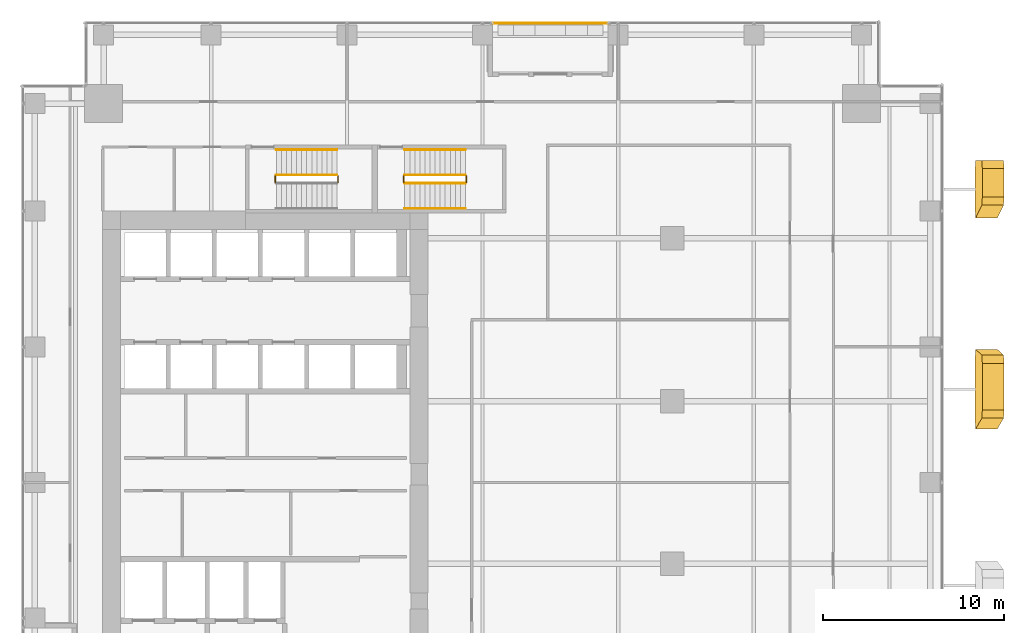
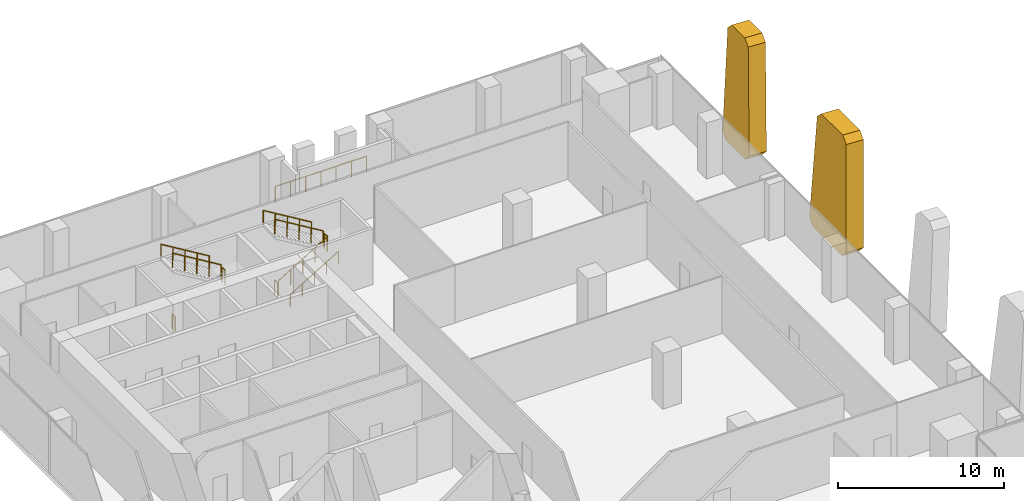
# One storey, part 34 of 35: 11 railings, 2 coverings.
"""IFC4 building model written with IfcOpenShell, lengths in metres."""

from ifc_helpers import new_model, si_unit, direction, frame, origin, origin_2d, place, context, subcontext, project, spatial, polyline, circle, outline, extrude, source, transform, mapped, material, layer, layer_set, type_object, element, save


model = new_model("IFC4")

# Units and contexts
model_context = context("Model", 3, precision=1e-05, world=origin(), true_north=direction((0.0, 1.0)))
body_context = subcontext(model_context, "Body", "Model", "MODEL_VIEW")
ifc_project = project(units=[si_unit("LENGTHUNIT", "METRE"), si_unit("AREAUNIT", "SQUARE_METRE"), si_unit("VOLUMEUNIT", "CUBIC_METRE"), si_unit("PLANEANGLEUNIT", "RADIAN"), si_unit("MASSUNIT", "GRAM", prefix="KILO")], contexts=[model_context])

# Site, building, storey
site_placement = place(None, origin())
site = spatial("IfcSite", under=ifc_project, at=site_placement, CompositionType="ELEMENT")
building_placement = place(site_placement, origin())
building = spatial("IfcBuilding", under=site, at=building_placement, Name="Khomas Fold Tower", CompositionType="ELEMENT")
storey_placement = place(building_placement, frame((0.0, 0.0, 119.10009765625)))
storey = spatial("IfcBuildingStorey", under=building, at=storey_placement, Name="L25", CompositionType="ELEMENT", Elevation=119.10009765625)

# Coverings
ifc_material_1 = material(Name="Natural stone cladding", Category="masonry")
ifc_layer = layer(ifc_material_1, 1.199951171875)
ifc_layer_set = layer_set([ifc_layer], Name="Natural stone cladding")
covering_type = type_object("IfcCoveringType", Name="SK-Karibib marble stone panel", PredefinedType="CLADDING", material=ifc_layer_set)
covering_1_placement = place(storey_placement, frame((54.611328125, 34.041259765625, 7.91943359375), z_axis=(-0.998874676029, 1.3489365e-05, 0.04742764391), x_axis=(-0.047382377875, 0.043397010468, -0.997933670015)))
element("IfcCovering", 1, at=covering_1_placement, inside=storey, type_object=covering_type, Name="OUTER SKIN leaf L25 ES09-3", PredefinedType="CLADDING", context=body_context, shape_type="SweptSolid", body=[
    extrude(outline(polyline([(0.0, 0.0), (7.465367054823694, 5.551115123125783e-17), (7.915438277951393, 0.4694368921433672), (7.763209702168287, 3.9739447026115204), (7.257568205310898, 4.400889922373656), (-0.16762271091524977, 3.475980845446091), (-0.5620600241605909, 3.0099380593128413), (-0.45001818194828874, 0.4305832363938047), (0.0, 0.0)])), origin(), (0.0, 0.0, -1.0), 1.199951171875),
])
covering_2_placement = place(storey_placement, frame((54.6103515625, 44.800048828125, 7.89990234375), z_axis=(-0.998874627077, -3.967957e-06, 0.047428676613), x_axis=(-0.047428676614, -1.19e-10, -0.998874627085)))
element("IfcCovering", 2, at=covering_2_placement, inside=storey, type_object=covering_type, Name="OUTER SKIN leaf L25 ES12-4", PredefinedType="CLADDING", context=body_context, shape_type="SweptSolid", body=[
    extrude(outline(polyline([(0.0, 0.0), (7.4583339768658865, 2.117582368135751e-22), (7.908797761406727, 0.44995117134328527), (7.908797761678751, 2.7373046869502784), (7.414833217226585, 3.1850585932929003), (-0.04351233899222821, 2.460449219266255), (-0.4504637842479976, 2.01245117238733), (-0.45046378443381835, 0.44995117239963056), (0.0, 0.0)])), origin(), (0.0, 0.0, -1.0), 1.199951171875),
])

# Railings
ifc_material_2 = material(Name="Powder-coated steel", Category="steel")
railing_type_1 = type_object("IfcRailingType", Name="Balcony guard", PredefinedType="GUARDRAIL", material=ifc_material_2)
shared_shape_1 = source(origin(), body_context, "Body", "SweptSolid", [
    extrude(circle(Radius=0.02490234375, at=origin_2d()), frame((0.0, 0.0, 1.125), z_axis=(1.0, 0.0, 0.0), x_axis=(0.0, 1.0, 0.0)), (0.0, 0.0, 1.0), 6.33984375),
    extrude(circle(Radius=0.02001953125, at=origin_2d()), origin(), (0.0, 0.0, 1.0), 1.099853515625),
    extrude(circle(Radius=0.02001953125, at=origin_2d()), frame((1.056640625, 0.0, 0.0)), (0.0, 0.0, 1.0), 1.099853515625),
    extrude(circle(Radius=0.02001953125, at=origin_2d()), frame((2.11328125, 0.0, 0.0)), (0.0, 0.0, 1.0), 1.099853515625),
    extrude(circle(Radius=0.02001953125, at=origin_2d()), frame((3.169921875, 0.0, 0.0)), (0.0, 0.0, 1.0), 1.099853515625),
    extrude(circle(Radius=0.02001953125, at=origin_2d()), frame((4.2265625, 0.0, 0.0)), (0.0, 0.0, 1.0), 1.099853515625),
    extrude(circle(Radius=0.02001953125, at=origin_2d()), frame((5.283203125, 0.0, 0.0)), (0.0, 0.0, 1.0), 1.099853515625),
    extrude(circle(Radius=0.02001953125, at=origin_2d()), frame((6.33984375, 0.0, 0.0)), (0.0, 0.0, 1.0), 1.099853515625),
])
railing_1_placement = place(storey_placement, frame((27.580078125, 52.39990234375, -0.045166015625)))
element("IfcRailing", 3, at=railing_1_placement, inside=storey, type_object=railing_type_1, Name="Balcony guard BAL-L25-N3", PredefinedType="GUARDRAIL", context=body_context, shape_type="MappedRepresentation", body=[
    mapped(shared_shape_1, transform((0.0, 0.0, 0.0))),
])
ifc_material_3 = material(Name="Steel balustrade", Category="steel")
railing_type_2 = type_object("IfcRailingType", Name="Stair guard", PredefinedType="GUARDRAIL", material=ifc_material_3)
shared_shape_2 = source(origin(), body_context, "Body", "SweptSolid", [
    extrude(circle(Radius=0.02392578125, at=origin_2d()), frame((0.0, 0.0, 1.076171875), z_axis=(0.0, 1.0, 0.0), x_axis=(-1.0, 0.0, 0.0)), (0.0, 0.0, 1.0), 0.349853515625),
    extrude(circle(Radius=0.02099609375, at=origin_2d()), origin(), (0.0, 0.0, 1.0), 1.052001953125),
    extrude(circle(Radius=0.02099609375, at=origin_2d()), frame((0.0, 0.349853515625, 0.0)), (0.0, 0.0, 1.0), 1.052001953125),
])
for number, where, name in (
    (4, (19.010009765625, 43.60009765625, 2.199951171875), "L25 ST1 stair guard 2"),
    (5, (15.550048828125, 43.60009765625, 0.0), "L25 ST1 stair guard 4"),
    (6, (26.110107421875, 43.60009765625, 2.199951171875), "L25 ST3 stair guard 2"),
    (7, (22.64990234375, 43.60009765625, 0.0), "L25 ST3 stair guard 4"),
):
    element("IfcRailing", number, at=place(storey_placement, frame(where)), inside=storey, type_object=railing_type_2, Name=name, PredefinedType="GUARDRAIL", context=body_context, shape_type="MappedRepresentation", body=[
        mapped(shared_shape_2, transform((0.0, 0.0, 0.0))),
    ])
shared_shape_3 = source(origin(), body_context, "Body", "SweptSolid", [
    extrude(circle(Radius=0.02392578125, at=origin_2d()), frame((0.0, 0.0, 1.076171875), z_axis=(-0.855820338506, 0.0, 0.51727318527), x_axis=(0.0, -1.0, 0.0)), (0.0, 0.0, 1.0), 3.92578125),
    extrude(circle(Radius=0.02099609375, at=origin_2d()), origin(), (0.0, 0.0, 1.0), 1.052001953125),
    extrude(circle(Radius=0.02099609375, at=origin_2d()), frame((-0.83984375, 0.0, 0.5078125)), (0.0, 0.0, 1.0), 1.052001953125),
    extrude(circle(Radius=0.02099609375, at=origin_2d()), frame((-1.679931640625, 0.0, 1.015380859375)), (0.0, 0.0, 1.0), 1.052001953125),
    extrude(circle(Radius=0.02099609375, at=origin_2d()), frame((-2.52001953125, 0.0, 1.52294921875)), (0.0, 0.0, 1.0), 1.052001953125),
    extrude(circle(Radius=0.02099609375, at=origin_2d()), frame((-3.35986328125, 0.0, 2.03076171875)), (0.0, 0.0, 1.0), 1.052001953125),
])
railing_2_placement = place(storey_placement, frame((18.9599609375, 44.0, 2.369140625)))
element("IfcRailing", 8, at=railing_2_placement, inside=storey, type_object=railing_type_2, Name="L25 ST1 stair guard 3", PredefinedType="GUARDRAIL", context=body_context, shape_type="MappedRepresentation", body=[
    mapped(shared_shape_3, transform((0.0, 0.0, 0.0))),
])
ifc_material_4 = material(Name="Steel handrail", Category="steel")
railing_type_3 = type_object("IfcRailingType", Name="Stair handrail", PredefinedType="HANDRAIL", material=ifc_material_4)
shared_shape_4 = source(origin(), body_context, "Body", "SweptSolid", [
    extrude(circle(Radius=0.02392578125, at=origin_2d()), frame((0.0, 0.0, 0.8759765625), z_axis=(-0.855820338506, 0.0, 0.51727318527), x_axis=(0.0, -1.0, 0.0)), (0.0, 0.0, 1.0), 3.92578125),
    extrude(circle(Radius=0.02099609375, at=origin_2d()), origin(), (0.0, 0.0, 1.0), 0.851806640625),
    extrude(circle(Radius=0.02099609375, at=origin_2d()), frame((-0.83984375, 0.0, 0.5078125)), (0.0, 0.0, 1.0), 0.851806640625),
    extrude(circle(Radius=0.02099609375, at=origin_2d()), frame((-1.679931640625, 0.0, 1.015380859375)), (0.0, 0.0, 1.0), 0.851806640625),
    extrude(circle(Radius=0.02099609375, at=origin_2d()), frame((-2.52001953125, 0.0, 1.52294921875)), (0.0, 0.0, 1.0), 0.851806640625),
    extrude(circle(Radius=0.02099609375, at=origin_2d()), frame((-3.35986328125, 0.0, 2.03076171875)), (0.0, 0.0, 1.0), 0.851806640625),
])
railing_3_placement = place(storey_placement, frame((18.9599609375, 45.39990234375, 2.369140625)))
element("IfcRailing", 9, at=railing_3_placement, inside=storey, type_object=railing_type_3, Name="L25 ST1 stair handrail 2", PredefinedType="HANDRAIL", context=body_context, shape_type="MappedRepresentation", body=[
    mapped(shared_shape_4, transform((0.0, 0.0, 0.0))),
])
shared_shape_5 = source(origin(), body_context, "Body", "SweptSolid", [
    extrude(circle(Radius=0.02392578125, at=origin_2d()), frame((0.0, 0.0, 1.076171875), z_axis=(0.855836976705, 0.0, 0.517245656632), x_axis=(0.0, 1.0, 0.0)), (0.0, 0.0, 1.0), 3.926025390625),
    extrude(circle(Radius=0.02099609375, at=origin_2d()), origin(), (0.0, 0.0, 1.0), 1.052001953125),
    extrude(circle(Radius=0.02099609375, at=origin_2d()), frame((0.840087890625, 0.0, 0.5078125)), (0.0, 0.0, 1.0), 1.052001953125),
    extrude(circle(Radius=0.02099609375, at=origin_2d()), frame((1.68017578125, 0.0, 1.015380859375)), (0.0, 0.0, 1.0), 1.052001953125),
    extrude(circle(Radius=0.02099609375, at=origin_2d()), frame((2.52001953125, 0.0, 1.52294921875)), (0.0, 0.0, 1.0), 1.052001953125),
    extrude(circle(Radius=0.02099609375, at=origin_2d()), frame((3.360107421875, 0.0, 2.03076171875)), (0.0, 0.0, 1.0), 1.052001953125),
])
railing_4_placement = place(storey_placement, frame((22.699951171875, 43.550048828125, 0.169189453125)))
element("IfcRailing", 10, at=railing_4_placement, inside=storey, type_object=railing_type_2, Name="L25 ST3 stair guard 1", PredefinedType="GUARDRAIL", context=body_context, shape_type="MappedRepresentation", body=[
    mapped(shared_shape_5, transform((0.0, 0.0, 0.0))),
])
shared_shape_6 = source(origin(), body_context, "Body", "SweptSolid", [
    extrude(circle(Radius=0.02392578125, at=origin_2d()), frame((0.0, 0.0, 1.076171875), z_axis=(-0.855836976705, 0.0, 0.517245656632), x_axis=(0.0, -1.0, 0.0)), (0.0, 0.0, 1.0), 3.926025390625),
    extrude(circle(Radius=0.02099609375, at=origin_2d()), origin(), (0.0, 0.0, 1.0), 1.052001953125),
    extrude(circle(Radius=0.02099609375, at=origin_2d()), frame((-0.840087890625, 0.0, 0.5078125)), (0.0, 0.0, 1.0), 1.052001953125),
    extrude(circle(Radius=0.02099609375, at=origin_2d()), frame((-1.68017578125, 0.0, 1.015380859375)), (0.0, 0.0, 1.0), 1.052001953125),
    extrude(circle(Radius=0.02099609375, at=origin_2d()), frame((-2.52001953125, 0.0, 1.52294921875)), (0.0, 0.0, 1.0), 1.052001953125),
    extrude(circle(Radius=0.02099609375, at=origin_2d()), frame((-3.360107421875, 0.0, 2.03076171875)), (0.0, 0.0, 1.0), 1.052001953125),
])
railing_5_placement = place(storey_placement, frame((26.06005859375, 44.0, 2.369140625)))
element("IfcRailing", 11, at=railing_5_placement, inside=storey, type_object=railing_type_2, Name="L25 ST3 stair guard 3", PredefinedType="GUARDRAIL", context=body_context, shape_type="MappedRepresentation", body=[
    mapped(shared_shape_6, transform((0.0, 0.0, 0.0))),
])
shared_shape_7 = source(origin(), body_context, "Body", "SweptSolid", [
    extrude(circle(Radius=0.02392578125, at=origin_2d()), frame((0.0, 0.0, 0.8759765625), z_axis=(0.855836976705, 0.0, 0.517245656632), x_axis=(0.0, 1.0, 0.0)), (0.0, 0.0, 1.0), 3.926025390625),
    extrude(circle(Radius=0.02099609375, at=origin_2d()), origin(), (0.0, 0.0, 1.0), 0.851806640625),
    extrude(circle(Radius=0.02099609375, at=origin_2d()), frame((0.840087890625, 0.0, 0.5078125)), (0.0, 0.0, 1.0), 0.851806640625),
    extrude(circle(Radius=0.02099609375, at=origin_2d()), frame((1.68017578125, 0.0, 1.015380859375)), (0.0, 0.0, 1.0), 0.851806640625),
    extrude(circle(Radius=0.02099609375, at=origin_2d()), frame((2.52001953125, 0.0, 1.52294921875)), (0.0, 0.0, 1.0), 0.851806640625),
    extrude(circle(Radius=0.02099609375, at=origin_2d()), frame((3.360107421875, 0.0, 2.03076171875)), (0.0, 0.0, 1.0), 0.851806640625),
])
railing_6_placement = place(storey_placement, frame((22.699951171875, 42.14990234375, 0.169189453125)))
element("IfcRailing", 12, at=railing_6_placement, inside=storey, type_object=railing_type_3, Name="L25 ST3 stair handrail 1", PredefinedType="HANDRAIL", context=body_context, shape_type="MappedRepresentation", body=[
    mapped(shared_shape_7, transform((0.0, 0.0, 0.0))),
])
shared_shape_8 = source(origin(), body_context, "Body", "SweptSolid", [
    extrude(circle(Radius=0.02392578125, at=origin_2d()), frame((0.0, 0.0, 0.8759765625), z_axis=(-0.855836976705, 0.0, 0.517245656632), x_axis=(0.0, -1.0, 0.0)), (0.0, 0.0, 1.0), 3.926025390625),
    extrude(circle(Radius=0.02099609375, at=origin_2d()), origin(), (0.0, 0.0, 1.0), 0.851806640625),
    extrude(circle(Radius=0.02099609375, at=origin_2d()), frame((-0.840087890625, 0.0, 0.5078125)), (0.0, 0.0, 1.0), 0.851806640625),
    extrude(circle(Radius=0.02099609375, at=origin_2d()), frame((-1.68017578125, 0.0, 1.015380859375)), (0.0, 0.0, 1.0), 0.851806640625),
    extrude(circle(Radius=0.02099609375, at=origin_2d()), frame((-2.52001953125, 0.0, 1.52294921875)), (0.0, 0.0, 1.0), 0.851806640625),
    extrude(circle(Radius=0.02099609375, at=origin_2d()), frame((-3.360107421875, 0.0, 2.03076171875)), (0.0, 0.0, 1.0), 0.851806640625),
])
railing_7_placement = place(storey_placement, frame((26.06005859375, 45.39990234375, 2.369140625)))
element("IfcRailing", 13, at=railing_7_placement, inside=storey, type_object=railing_type_3, Name="L25 ST3 stair handrail 2", PredefinedType="HANDRAIL", context=body_context, shape_type="MappedRepresentation", body=[
    mapped(shared_shape_8, transform((0.0, 0.0, 0.0))),
])

save(model, "model.ifc")
